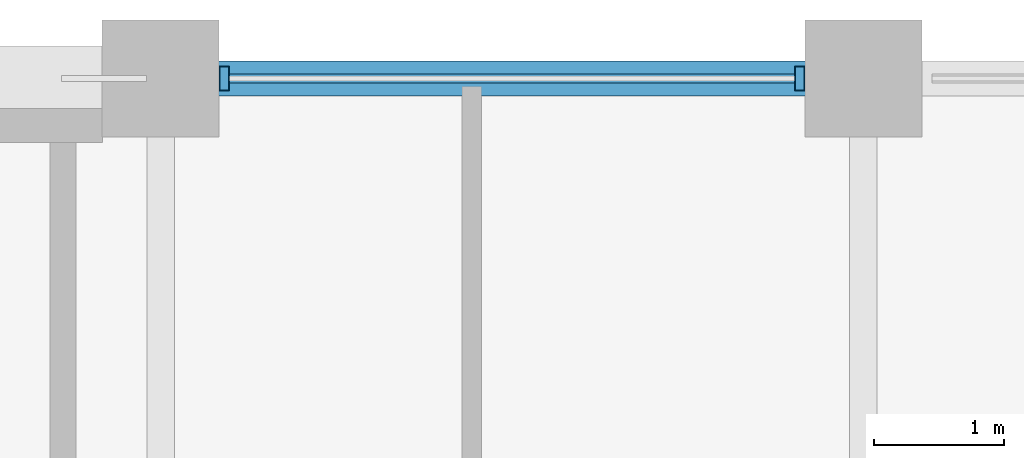
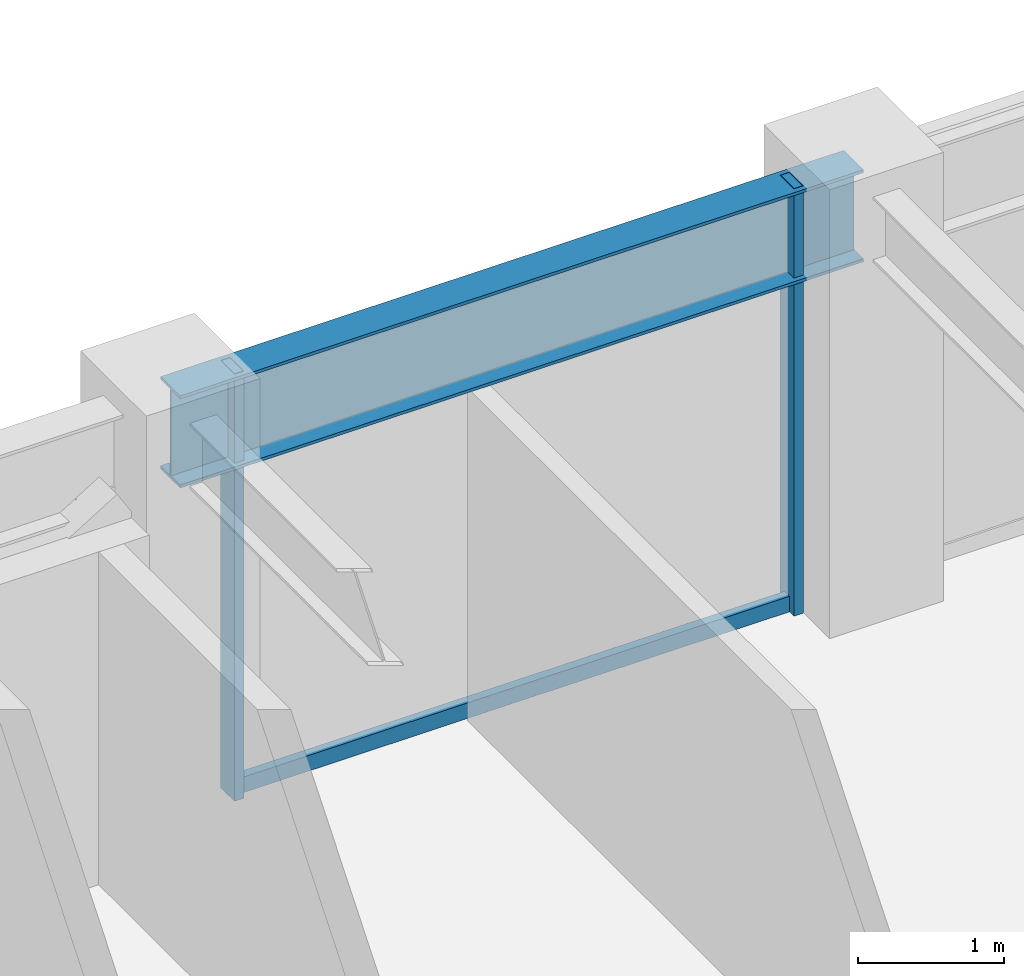
# One storey, part 22 of 31: 3 members, 1 beam, 1 element without a shape of its own.
"""IFC4 building model written with IfcOpenShell, lengths in metres."""

from ifc_helpers import new_model, si_unit, direction, frame, origin, origin_2d, place, context, subcontext, project, spatial, hollow_rectangle, i_section, extrude, material, layer, layer_set, material_profile, profile_set, type_object, element, aggregate, save


model = new_model("IFC4")

# Units and contexts
model_context = context("Model", 3, precision=1e-05, world=origin(), true_north=direction((0.0, 1.0)))
body_context = subcontext(model_context, "Body", "Model", "MODEL_VIEW")
ifc_project = project(units=[si_unit("LENGTHUNIT", "METRE"), si_unit("AREAUNIT", "SQUARE_METRE"), si_unit("VOLUMEUNIT", "CUBIC_METRE"), si_unit("PLANEANGLEUNIT", "RADIAN"), si_unit("MASSUNIT", "GRAM", prefix="KILO")], contexts=[model_context])

# Site, building, storey
site_placement = place(None, origin())
site = spatial("IfcSite", under=ifc_project, at=site_placement, CompositionType="ELEMENT")
building_placement = place(site_placement, origin())
building = spatial("IfcBuilding", under=site, at=building_placement, Name="Surkhivell Harbour Commons", CompositionType="ELEMENT")
storey_placement = place(building_placement, frame((0.0, 0.0, 193.5)))
storey = spatial("IfcBuildingStorey", under=building, at=storey_placement, Name="L50", CompositionType="ELEMENT", Elevation=193.5)

# Beam
ifc_material_1 = material(Name="Steel S355", Category="steel")
ifc_material_profile_1 = material_profile(ifc_material_1, i_section(OverallWidth=0.26806640625, OverallDepth=0.77001953125, WebThickness=0.015625, FlangeThickness=0.025390625, at=origin_2d()), Name="UB762x267x197")
ifc_profile_set_1 = profile_set([ifc_material_profile_1], Name="Steel S355")
beam_type = type_object("IfcBeamType", Name="BM-SPN-762", PredefinedType="SPANDREL", material=ifc_profile_set_1)
beam_placement = place(storey_placement, frame((5.39990234375, 25.89990234375, 3.18505859375), z_axis=(1.0, 0.0, 0.0), x_axis=(0.0, 1.0, 0.0)))
element("IfcBeam", 1, at=beam_placement, inside=storey, type_object=beam_type, Name="L50 Tube Spandrel (5.4,25.9)", PredefinedType="SPANDREL", context=body_context, shape_type="SweptSolid", body=[
    extrude(i_section(OverallWidth=0.26806640625, OverallDepth=0.77001953125, WebThickness=0.015625, FlangeThickness=0.025390625, at=origin_2d()), origin(), (0.0, 0.0, 1.0), 5.400146484375),
])

# Curtain wall, members
ifc_material_2 = material(Name="Anodised pale-metal aluminium and insulated glazing", Category="aluminium")
ifc_layer = layer(ifc_material_2, 0.18994140625)
ifc_layer_set = layer_set([ifc_layer], Name="Anodised pale-metal aluminium and insulated glazing")
curtain_wall_type = type_object("IfcCurtainWallType", Name="CW-SYS-Z3", PredefinedType="NOTDEFINED", material=ifc_layer_set)
curtain_wall_placement = place(storey_placement, origin())
curtain_wall = element("IfcCurtainWall", 2, at=curtain_wall_placement, inside=storey, type_object=curtain_wall_type, Name="L50 Curtain Wall CW-L50-E07S1", PredefinedType="NOTDEFINED")
ifc_material_3 = material(Name="Anodised pale-metal aluminium alloy 6063-T6", Category="aluminium")
ifc_material_profile_2 = material_profile(ifc_material_3, hollow_rectangle(XDim=0.074951171875, YDim=0.18994140625, WallThickness=0.00390625, at=origin_2d()), Name="ALU-MULL-75x190")
ifc_profile_set_2 = profile_set([ifc_material_profile_2], Name="Anodised pale-metal aluminium alloy 6063-T6")
member_type_1 = type_object("IfcMemberType", Name="CWM-190", PredefinedType="MULLION", material=ifc_profile_set_2)
member_1_placement = place(storey_placement, frame((10.310546875, 25.89990234375, 0.0), z_axis=(0.0, 0.0, 1.0), x_axis=(-1.0, 0.0, 0.0)))
member_1 = element("IfcMember", 3, at=member_1_placement, type_object=member_type_1, Name="CW-Z3 mullion 2", PredefinedType="MULLION", context=body_context, shape_type="SweptSolid", body=[
    extrude(hollow_rectangle(XDim=0.074951171875, YDim=0.18994140625, WallThickness=0.00390625, at=origin_2d()), origin(), (0.0, 0.0, 1.0), 3.570068359375),
])
member_2_placement = place(storey_placement, frame((5.889404296875, 25.89990234375, 0.0), z_axis=(0.0, 0.0, 1.0), x_axis=(-1.0, 0.0, 0.0)))
member_2 = element("IfcMember", 4, at=member_2_placement, type_object=member_type_1, Name="CW-Z3 mullion 3", PredefinedType="MULLION", context=body_context, shape_type="SweptSolid", body=[
    extrude(hollow_rectangle(XDim=0.074951171875, YDim=0.18994140625, WallThickness=0.00390625, at=origin_2d()), origin(), (0.0, 0.0, 1.0), 3.570068359375),
])
ifc_material_4 = material(Name="Champagne anodised aluminium alloy 6063-T6", Category="aluminium")
ifc_material_profile_3 = material_profile(ifc_material_4, hollow_rectangle(XDim=0.070068359375, YDim=0.1298828125, WallThickness=0.00341796875, at=origin_2d()), Name="ALU-TRAN-70x130")
ifc_profile_set_3 = profile_set([ifc_material_profile_3], Name="Champagne anodised aluminium alloy 6063-T6")
member_type_2 = type_object("IfcMemberType", Name="CWT-130", PredefinedType="USERDEFINED", material=ifc_profile_set_3)
member_3_placement = place(storey_placement, frame((10.27294921875, 25.89990234375, 0.06494140625), z_axis=(-1.0, 0.0, 0.0), x_axis=(0.0, -1.0, 0.0)))
member_3 = element("IfcMember", 5, at=member_3_placement, type_object=member_type_2, Name="CW-Z3 transom 2.1", ObjectType="TRANSOM", PredefinedType="USERDEFINED", context=body_context, shape_type="SweptSolid", body=[
    extrude(hollow_rectangle(XDim=0.070068359375, YDim=0.1298828125, WallThickness=0.00341796875, at=origin_2d()), origin(), (0.0, 0.0, 1.0), 4.345947265625),
])
aggregate(curtain_wall, [member_1, member_2, member_3])

save(model, "model.ifc")
